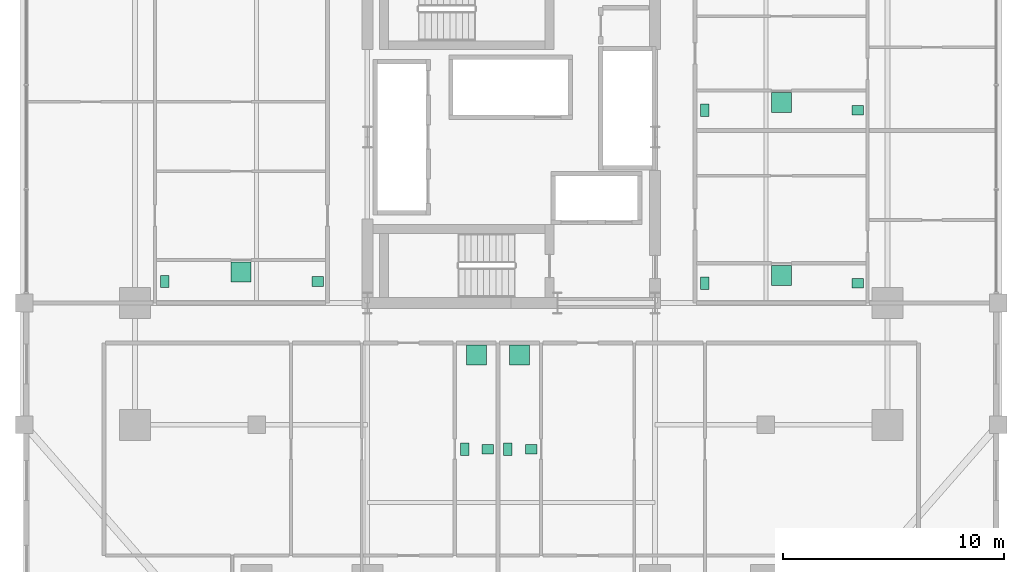
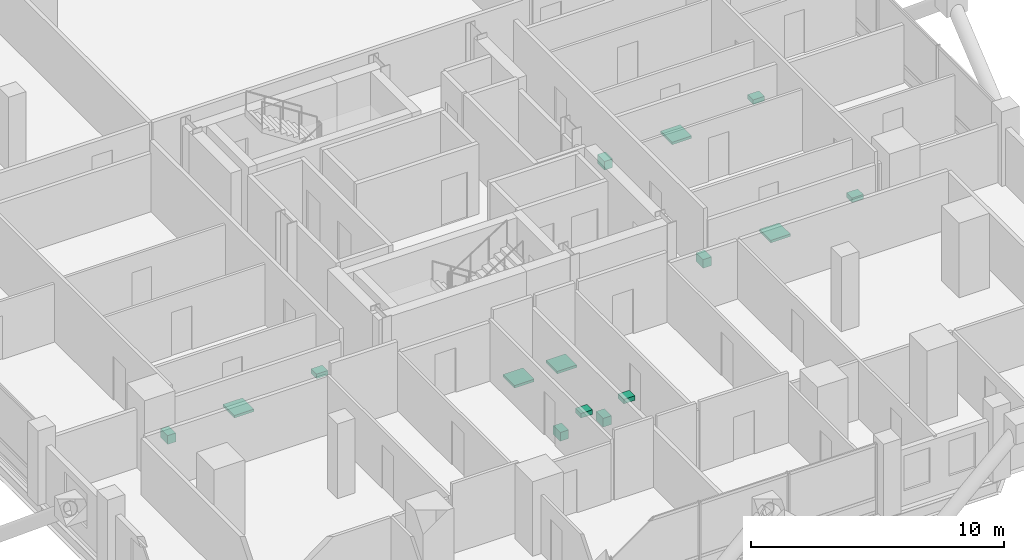
# One storey, part 23 of 23: 15 sanitary terminals.
"""IFC4 building model written with IfcOpenShell, lengths in metres."""

from ifc_helpers import new_model, si_unit, direction, frame, origin, origin_2d, place, context, subcontext, project, spatial, rectangle, extrude, material, type_object, element, save


model = new_model("IFC4")

# Units and contexts
model_context = context("Model", 3, precision=1e-05, world=origin(), true_north=direction((0.0, 1.0)))
body_context = subcontext(model_context, "Body", "Model", "MODEL_VIEW")
ifc_project = project(units=[si_unit("LENGTHUNIT", "METRE"), si_unit("AREAUNIT", "SQUARE_METRE"), si_unit("VOLUMEUNIT", "CUBIC_METRE"), si_unit("PLANEANGLEUNIT", "RADIAN"), si_unit("MASSUNIT", "GRAM", prefix="KILO")], contexts=[model_context])

# Site, building, storey
site_placement = place(None, origin())
site = spatial("IfcSite", under=ifc_project, at=site_placement, CompositionType="ELEMENT")
building_placement = place(site_placement, origin())
building = spatial("IfcBuilding", under=site, at=building_placement, Name="Barlavira Tower and Art Museum", CompositionType="ELEMENT")
storey_placement = place(building_placement, frame((0.0, 0.0, 68.39990234375)))
storey = spatial("IfcBuildingStorey", under=building, at=storey_placement, Name="L16", CompositionType="ELEMENT", Elevation=68.39990234375)

# Sanitary terminals
ifc_material = material(Name="Vitreous glazed ceramic", Category="ceramic")
sanitary_terminal_type_1 = type_object("IfcSanitaryTerminalType", Name="Countertop Ceramic Wash Hand Basin", PredefinedType="WASHHANDBASIN", material=ifc_material)
for number, where, z_axis, x_axis, name in (
    (1, (-1.050048828125, -14.10009765625, 0.740234375), (0.0, 0.0, 1.0), (1.0, 0.0, 0.0), "L16-S1-BTH1 Wash Basin"),
    (2, (0.89990234375, -14.10009765625, 0.740234375), (0.0, 0.0, 1.0), (1.0, 0.0, 0.0), "L16-S2-BTH1 Wash Basin"),
    (3, (-8.75, -6.52490234375, 0.740234375), (0.0, 0.0, 1.0), (1.0, 0.0, 0.0), "L16-W1-BTH1 Wash Basin"),
    (4, (15.64990234375, -6.60009765625, 0.740234375), (0.0, 0.0, 1.0), (1.0, 0.0, 0.0), "L16-E1-BTH1 Wash Basin"),
    (5, (15.64990234375, 1.2099609375, 0.740234375), (0.0, 0.0, 1.0), (1.0, 0.0, 0.0), "L16-E2-BTH1 Wash Basin"),
):
    element("IfcSanitaryTerminal", number, at=place(storey_placement, frame(where, z_axis=z_axis, x_axis=x_axis)), inside=storey, type_object=sanitary_terminal_type_1, Name=name, PredefinedType="WASHHANDBASIN", context=body_context, shape_type="SweptSolid", body=[
        extrude(rectangle(XDim=0.52001953125, YDim=0.43994140625, at=origin_2d()), origin(), (0.0, 0.0, 1.0), 0.219970703125),
    ])
sanitary_terminal_type_2 = type_object("IfcSanitaryTerminalType", Name="Walk-In Thermostatic Rain Shower Unit", PredefinedType="SHOWER", material=ifc_material)
for number, where, z_axis, x_axis, name in (
    (6, (-1.574951171875, -9.85009765625, 0.0), (0.0, 0.0, 1.0), (1.0, 0.0, 0.0), "L16-S1-BTH1 Rain Shower"),
    (7, (0.375, -9.85009765625, 0.0), (0.0, 0.0, 1.0), (1.0, 0.0, 0.0), "L16-S2-BTH1 Rain Shower"),
    (8, (-12.199951171875, -6.10009765625, 0.0), (0.0, 0.0, 1.0), (1.0, 0.0, 0.0), "L16-W1-BTH1 Rain Shower"),
    (9, (12.199951171875, -6.25, 0.0), (0.0, 0.0, 1.0), (1.0, 0.0, 0.0), "L16-E1-BTH1 Rain Shower"),
    (10, (12.199951171875, 1.56005859375, 0.0), (0.0, 0.0, 1.0), (1.0, 0.0, 0.0), "L16-E2-BTH1 Rain Shower"),
):
    element("IfcSanitaryTerminal", number, at=place(storey_placement, frame(where, z_axis=z_axis, x_axis=x_axis)), inside=storey, type_object=sanitary_terminal_type_2, Name=name, PredefinedType="SHOWER", context=body_context, shape_type="SweptSolid", body=[
        extrude(rectangle(XDim=0.89990234375, YDim=0.89990234375, at=origin_2d()), origin(), (0.0, 0.0, 1.0), 0.1201171875),
    ])
sanitary_terminal_type_3 = type_object("IfcSanitaryTerminalType", Name="Wall-Hung Dual-Flush Vitreous WC Pan", PredefinedType="TOILETPAN", material=ifc_material)
for number, where, z_axis, x_axis, name in (
    (11, (-2.10009765625, -14.10009765625, 0.000244140625), (0.0, 0.0, 1.0), (1.0, 0.0, 0.0), "L16-S1-BTH1 WC Pan"),
    (12, (-0.14990234375, -14.10009765625, 0.000244140625), (0.0, 0.0, 1.0), (1.0, 0.0, 0.0), "L16-S2-BTH1 WC Pan"),
    (13, (-15.64990234375, -6.52490234375, 0.000244140625), (0.0, 0.0, 1.0), (1.0, 0.0, 0.0), "L16-W1-BTH1 WC Pan"),
    (14, (8.75, -6.60009765625, 0.000244140625), (0.0, 0.0, 1.0), (1.0, 0.0, 0.0), "L16-E1-BTH1 WC Pan"),
    (15, (8.75, 1.2099609375, 0.000244140625), (0.0, 0.0, 1.0), (1.0, 0.0, 0.0), "L16-E2-BTH1 WC Pan"),
):
    element("IfcSanitaryTerminal", number, at=place(storey_placement, frame(where, z_axis=z_axis, x_axis=x_axis)), inside=storey, type_object=sanitary_terminal_type_3, Name=name, PredefinedType="TOILETPAN", context=body_context, shape_type="SweptSolid", body=[
        extrude(rectangle(XDim=0.3798828125, YDim=0.56005859375, at=origin_2d()), origin(), (0.0, 0.0, 1.0), 0.419921875),
    ])

save(model, "model.ifc")
